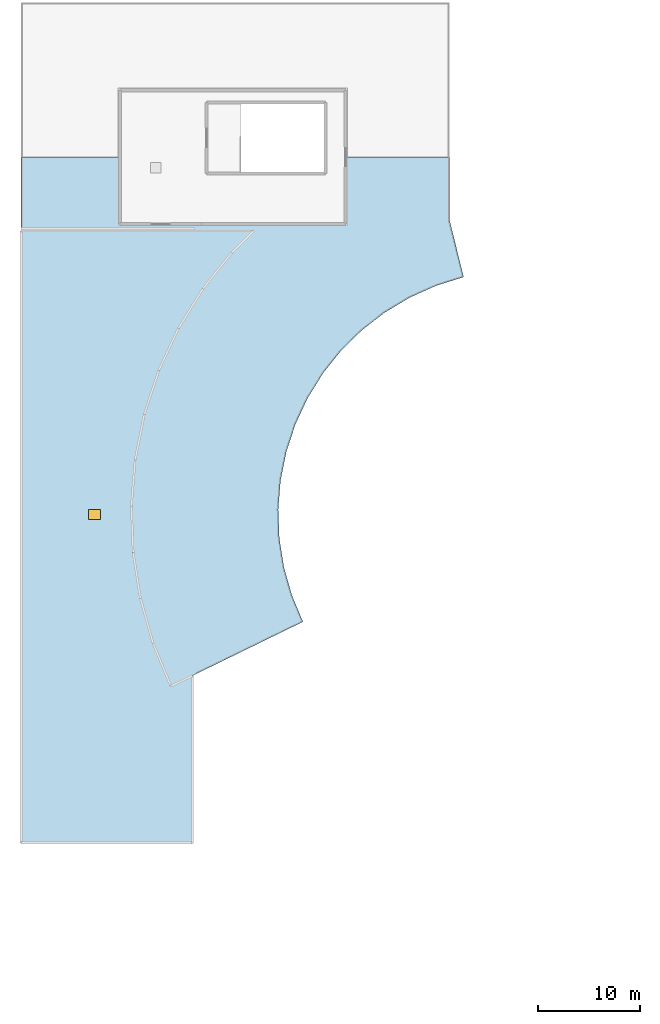
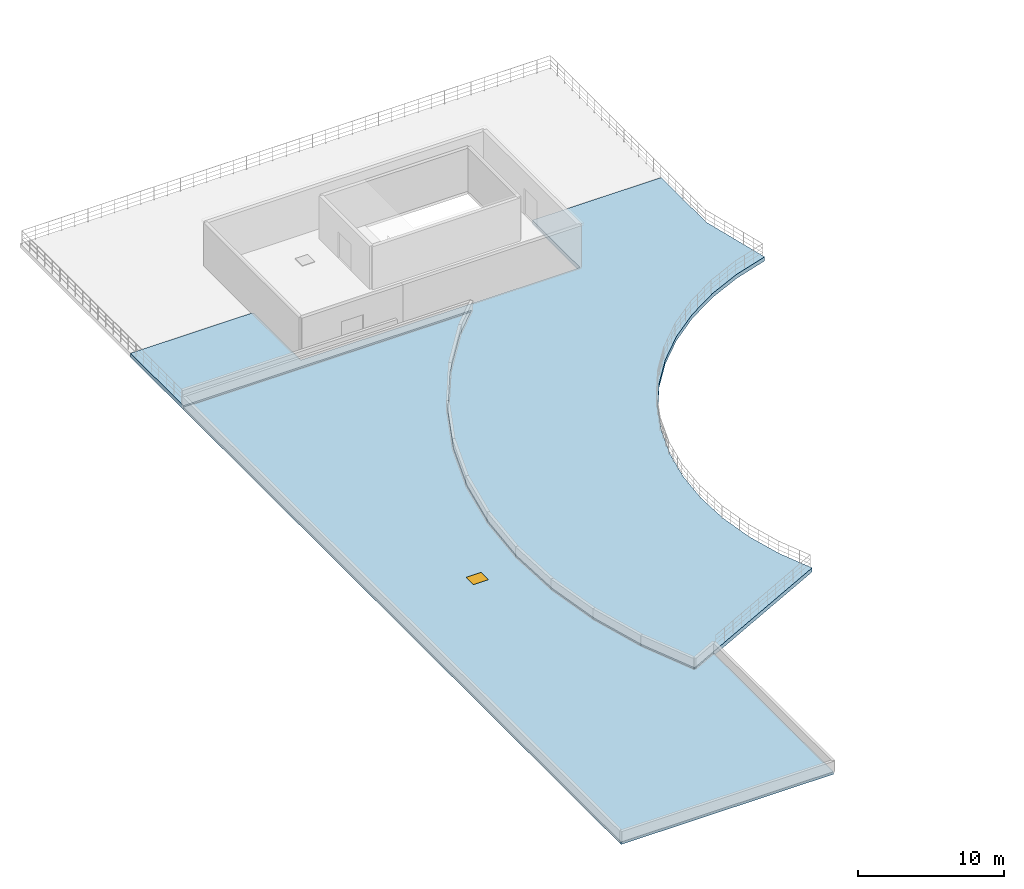
# One storey, part 18 of 45: 2 slabs, 1 door, 1 opening.
"""IFC4 building model written with IfcOpenShell, lengths in metres."""

from ifc_helpers import new_model, si_unit, direction, frame, origin, origin_2d, place, context, subcontext, project, spatial, polyline, rectangle, outline, extrude, material, layer, layer_set, type_object, element, fill, save


model = new_model("IFC4")

# Units and contexts
model_context = context("Model", 3, precision=1e-05, world=origin(), true_north=direction((0.0, 1.0)))
body_context = subcontext(model_context, "Body", "Model", "MODEL_VIEW")
ifc_project = project(units=[si_unit("LENGTHUNIT", "METRE"), si_unit("AREAUNIT", "SQUARE_METRE"), si_unit("VOLUMEUNIT", "CUBIC_METRE"), si_unit("PLANEANGLEUNIT", "RADIAN"), si_unit("MASSUNIT", "GRAM", prefix="KILO")], contexts=[model_context])

# Site, building, storey
site_placement = place(None, origin())
site = spatial("IfcSite", under=ifc_project, at=site_placement, CompositionType="ELEMENT")
building_placement = place(site_placement, origin())
building = spatial("IfcBuilding", under=site, at=building_placement, Name="Cinderbank Siding Concert Hall", CompositionType="ELEMENT")
storey_placement = place(building_placement, frame((0.0, 0.0, 19.199951171875)))
storey = spatial("IfcBuildingStorey", under=building, at=storey_placement, Name="L05", CompositionType="ELEMENT", Elevation=19.199951171875)

# Slab, opening, door
ifc_material_1 = material(Name="Reinforced concrete AS 3600 N50 (50 MPa)", Category="concrete")
ifc_layer_1 = layer(ifc_material_1, 0.2099609375)
ifc_layer_set_1 = layer_set([ifc_layer_1], Name="Reinforced concrete AS 3600 N50 (50 MPa)")
slab_type_1 = type_object("IfcSlabType", Name="RF-02 Slab 210mm", PredefinedType="ROOF", material=ifc_layer_set_1)
slab_1_placement = place(storey_placement, frame((0.0, 0.0, -0.329833984375)))
slab_1 = element("IfcSlab", 1, at=slab_1_placement, inside=storey, type_object=slab_type_1, Name="L05 West Spine Roof", PredefinedType="ROOF", context=body_context, shape_type="SweptSolid", body=[
    extrude(outline(polyline([(6.800048828125, 95.800048828125), (29.59814453125, 95.800048828125), (27.463134765625, 93.694580078125), (24.62158203125, 90.135009765625), (22.221435546875, 86.263916015625), (20.296630859375, 82.135986328125), (18.8740234375, 77.80908203125), (17.9736328125, 73.34423828125), (17.6083984375, 68.80419921875), (17.783203125, 64.252685546875), (18.495849609375, 59.754150390625), (19.73583984375, 55.37158203125), (21.486328125, 51.16650390625), (23.60009765625, 52.197509765625), (23.60009765625, 35.800048828125), (6.800048828125, 35.800048828125), (6.800048828125, 95.800048828125)]), holes=[polyline([(13.39990234375, 67.5), (14.60009765625, 67.5), (14.60009765625, 68.5), (13.39990234375, 68.5), (13.39990234375, 67.5)])]), origin(), (0.0, 0.0, 1.0), 0.2099609375),
])
opening_placement = place(slab_1_placement, frame((14.0, 68.0, -0.011962890625)))
opening = element("IfcOpeningElement", 2, at=opening_placement, cuts=slab_1, Name="Opening RH-02", PredefinedType="OPENING", context=body_context, shape_type="SweptSolid", body=[
    extrude(rectangle(XDim=1.199951171875, YDim=1.0, at=origin_2d()), origin(), (0.0, 0.0, 1.0), 0.23388671875),
])
ifc_material_2 = material(Name="Galvanised sheet steel acoustic fire door assembly", Category="steel")
door_type = type_object("IfcDoorType", Name="RH-02 Exterior Trapdoor 1200x1000", OperationType="SINGLE_SWING_LEFT", PredefinedType="TRAPDOOR", material=ifc_material_2)
door_placement = place(slab_1_placement, frame((14.0, 68.0, 0.159912109375)))
door = element("IfcDoor", 3, at=door_placement, inside=storey, type_object=door_type, Name="Roof Maintenance Hatch L05-RH03", OperationType="SINGLE_SWING_LEFT", OverallHeight=1.0, OverallWidth=1.199951171875, PredefinedType="TRAPDOOR", context=body_context, shape_type="SweptSolid", body=[
    extrude(rectangle(XDim=1.199951171875, YDim=1.0, at=origin_2d()), origin(), (0.0, 0.0, 1.0), 0.050048828125),
])
fill(opening, door)

# Slab
ifc_layer_2 = layer(ifc_material_1, 0.340087890625)
ifc_layer_set_2 = layer_set([ifc_layer_2], Name="Reinforced concrete AS 3600 N50 (50 MPa)")
slab_type_2 = type_object("IfcSlabType", Name="SL-TR2 Slab 340mm", PredefinedType="FLOOR", material=ifc_layer_set_2)
slab_2_placement = place(storey_placement, frame((0.0, 0.0, -0.33984375)))
element("IfcSlab", 4, at=slab_2_placement, inside=storey, type_object=slab_type_2, Name="L05 Planted Artists Roof Garden South", PredefinedType="FLOOR", context=body_context, shape_type="SweptSolid", body=[
    extrude(outline(polyline([(44.880859375, 89.268798828125), (42.44091796875, 87.802734375), (40.19140625, 86.05810546875), (38.16455078125, 84.05908203125), (36.388427734375, 81.83447265625), (34.888427734375, 79.4150390625), (33.685302734375, 76.8349609375), (32.796142578125, 74.130615234375), (32.233642578125, 71.340087890625), (32.00537109375, 68.502685546875), (32.114501953125, 65.657958984375), (32.559814453125, 62.846435546875), (33.3349609375, 60.107177734375), (34.428955078125, 57.47900390625), (21.486328125, 51.16650390625), (19.73583984375, 55.37158203125), (18.495849609375, 59.754150390625), (17.783203125, 64.252685546875), (17.6083984375, 68.80419921875), (17.9736328125, 73.34423828125), (18.8740234375, 77.80908203125), (20.296630859375, 82.135986328125), (22.221435546875, 86.263916015625), (24.62158203125, 90.135009765625), (27.463134765625, 93.694580078125), (29.59814453125, 95.800048828125), (6.800048828125, 95.800048828125), (6.800048828125, 103.0439453125), (16.5, 103.0439453125), (16.5, 96.5), (38.60009765625, 96.5), (38.60009765625, 103.0439453125), (48.800048828125, 103.0439453125), (48.800048828125, 96.877685546875), (50.19384765625, 91.287109375), (47.477294921875, 90.435791015625), (44.880859375, 89.268798828125)])), origin(), (0.0, 0.0, 1.0), 0.33984375),
])

save(model, "model.ifc")
